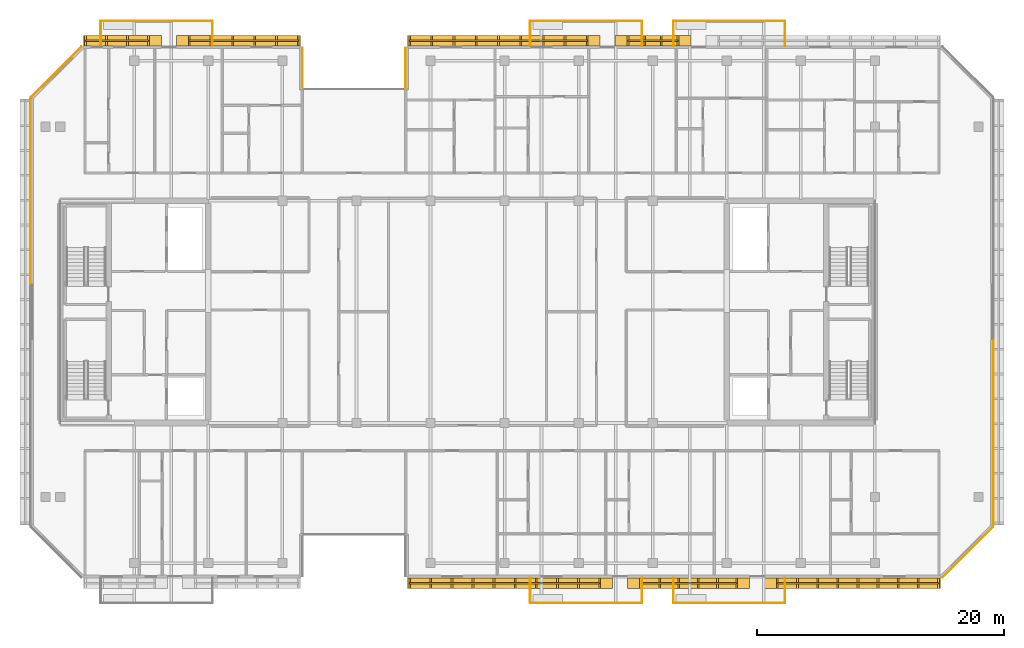
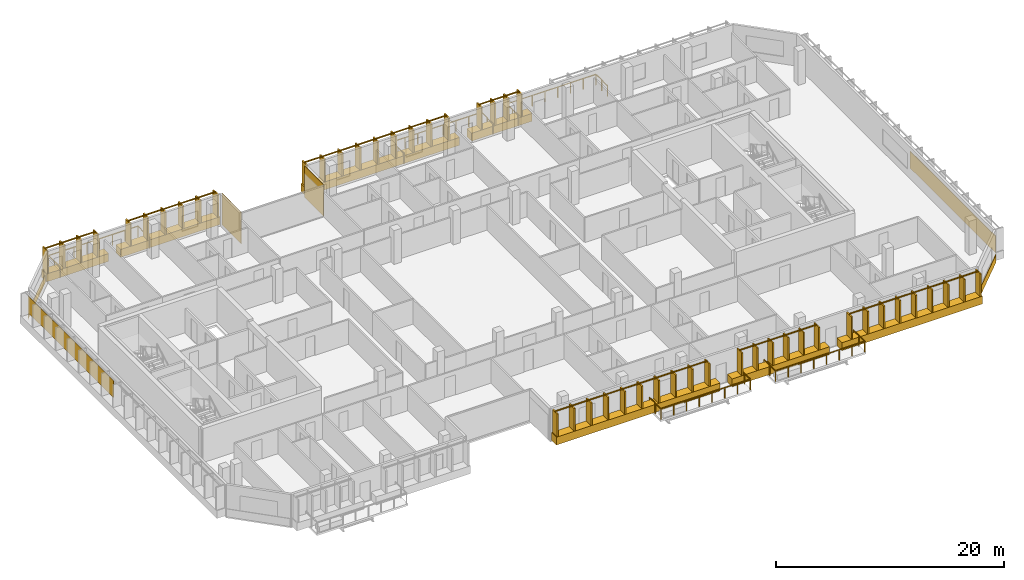
# One storey, part 15 of 17: 13 coverings, 12 railings.
"""IFC4 building model written with IfcOpenShell, lengths in metres."""

from ifc_helpers import new_model, si_unit, direction, frame, origin, origin_2d, place, context, subcontext, project, spatial, rectangle, extrude, material, layer, layer_set, type_object, element, save


model = new_model("IFC4")

# Units and contexts
model_context = context("Model", 3, precision=1e-05, world=origin(), true_north=direction((0.0, 1.0)))
body_context = subcontext(model_context, "Body", "Model", "MODEL_VIEW")
ifc_project = project(units=[si_unit("LENGTHUNIT", "METRE"), si_unit("AREAUNIT", "SQUARE_METRE"), si_unit("VOLUMEUNIT", "CUBIC_METRE"), si_unit("PLANEANGLEUNIT", "RADIAN"), si_unit("MASSUNIT", "GRAM", prefix="KILO")], contexts=[model_context])

# Site, building, storey
site_placement = place(None, origin())
site = spatial("IfcSite", under=ifc_project, at=site_placement, CompositionType="ELEMENT")
building_placement = place(site_placement, origin())
building = spatial("IfcBuilding", under=site, at=building_placement, Name="Tanjung Sevakor Pilgrim Tower", CompositionType="ELEMENT")
storey_placement = place(building_placement, frame((0.0, 0.0, 219.1201171875)))
storey = spatial("IfcBuildingStorey", under=building, at=storey_placement, Name="L61", CompositionType="ELEMENT", Elevation=219.1201171875)

# Coverings
ifc_material_1 = material(Name="Reconstructed Limestone Cladding", Category="masonry")
ifc_layer = layer(ifc_material_1, 0.044921875)
ifc_layer_set = layer_set([ifc_layer], Name="COV-CLAD-LIMESTONE")
covering_type = type_object("IfcCoveringType", Name="COV-CLAD-LIMESTONE", PredefinedType="CLADDING", material=ifc_layer_set)
covering_1_placement = place(storey_placement, frame((60.445068359375, 11.6201171875, 0.009765625), z_axis=(0.0, 0.0, 1.0), x_axis=(1.0, 0.0, 0.0)))
element("IfcCovering", 1, at=covering_1_placement, inside=storey, type_object=covering_type, Name="L61 Warm Limestone Sill Spandrel EW-L61-MAIN-5-1", PredefinedType="CLADDING", context=body_context, shape_type="SweptSolid", body=[
    extrude(rectangle(XDim=16.590087890625, YDim=0.860107421875, at=origin_2d()), origin(), (0.0, 0.0, 1.0), 0.840087890625),
])
covering_2_placement = place(storey_placement, frame((74.89990234375, 11.6201171875, 0.009765625), z_axis=(0.0, 0.0, 1.0), x_axis=(1.0, 0.0, 0.0)))
element("IfcCovering", 2, at=covering_2_placement, inside=storey, type_object=covering_type, Name="L61 Warm Limestone Sill Spandrel EW-L61-MAIN-5-2", PredefinedType="CLADDING", context=body_context, shape_type="SweptSolid", body=[
    extrude(rectangle(XDim=9.8798828125, YDim=0.860107421875, at=origin_2d()), origin(), (0.0, 0.0, 1.0), 0.840087890625),
])
covering_3_placement = place(storey_placement, frame((88.187255859375, 11.6201171875, 0.009765625), z_axis=(0.0, 0.0, 1.0), x_axis=(1.0, 0.0, 0.0)))
element("IfcCovering", 3, at=covering_3_placement, inside=storey, type_object=covering_type, Name="L61 Warm Limestone Sill Spandrel EW-L61-MAIN-5-3", PredefinedType="CLADDING", context=body_context, shape_type="SweptSolid", body=[
    extrude(rectangle(XDim=14.25439453125, YDim=0.860107421875, at=origin_2d()), origin(), (0.0, 0.0, 1.0), 0.840087890625),
])
covering_4_placement = place(storey_placement, frame((97.515869140625, 14.134033203125, 0.009765625), z_axis=(0.0, 0.0, 1.0), x_axis=(0.707106781187, 0.707106781187, 0.0)))
element("IfcCovering", 4, at=covering_4_placement, inside=storey, type_object=covering_type, Name="L61 Warm Limestone Sill Spandrel EW-CHM-L61-MAIN-5-1", PredefinedType="CLADDING", context=body_context, shape_type="SweptSolid", body=[
    extrude(rectangle(XDim=5.7685546875, YDim=0.044921875, at=origin_2d()), origin(), (0.0, 0.0, 1.0), 0.840087890625),
])
covering_5_placement = place(storey_placement, frame((99.62255859375, 23.8427734375, 0.849853515625), z_axis=(0.0, 0.0, 1.0), x_axis=(0.0, 1.0, 0.0)))
element("IfcCovering", 5, at=covering_5_placement, inside=storey, type_object=covering_type, Name="L61 Warm Limestone Pier Panel EW-L61-MAIN-7-1", PredefinedType="CLADDING", context=body_context, shape_type="SweptSolid", body=[
    extrude(rectangle(XDim=15.014404296875, YDim=0.044921875, at=origin_2d()), origin(), (0.0, 0.0, 1.0), 1.81005859375),
])
covering_6_placement = place(storey_placement, frame((72.02490234375, 55.580078125, 0.009765625), z_axis=(0.0, 0.0, 1.0), x_axis=(-1.0, 0.0, 0.0)))
element("IfcCovering", 6, at=covering_6_placement, inside=storey, type_object=covering_type, Name="L61 Warm Limestone Sill Spandrel EW-L61-MAIN-9-2", PredefinedType="CLADDING", context=body_context, shape_type="SweptSolid", body=[
    extrude(rectangle(XDim=6.1298828125, YDim=0.860107421875, at=origin_2d()), origin(), (0.0, 0.0, 1.0), 0.840087890625),
])
covering_7_placement = place(storey_placement, frame((59.945068359375, 55.580078125, 0.009765625), z_axis=(0.0, 0.0, 1.0), x_axis=(-1.0, 0.0, 0.0)))
element("IfcCovering", 7, at=covering_7_placement, inside=storey, type_object=covering_type, Name="L61 Warm Limestone Sill Spandrel EW-L61-MAIN-9-3", PredefinedType="CLADDING", context=body_context, shape_type="SweptSolid", body=[
    extrude(rectangle(XDim=15.590087890625, YDim=0.860107421875, at=origin_2d()), origin(), (0.0, 0.0, 1.0), 0.840087890625),
])
for number, where, z_axis, x_axis, name in (
    (8, (51.9775390625, 53.340087890625, 0.019775390625), (0.0, 0.0, 1.0), (0.0, -1.0, 0.0), "L61 Warm Limestone Wall Cladding EW-L61-MAIN-10"),
    (9, (43.62255859375, 53.340087890625, 0.019775390625), (0.0, 0.0, 1.0), (0.0, 1.0, 0.0), "L61 Warm Limestone Wall Cladding EW-L61-MAIN-12"),
):
    element("IfcCovering", number, at=place(storey_placement, frame(where, z_axis=z_axis, x_axis=x_axis)), inside=storey, type_object=covering_type, Name=name, PredefinedType="CLADDING", context=body_context, shape_type="SweptSolid", body=[
        extrude(rectangle(XDim=3.360107421875, YDim=0.044921875, at=origin_2d()), origin(), (0.0, 0.0, 1.0), 3.3701171875),
    ])
covering_8_placement = place(storey_placement, frame((38.429931640625, 55.580078125, 0.009765625), z_axis=(0.0, 0.0, 1.0), x_axis=(-1.0, 0.0, 0.0)))
element("IfcCovering", 10, at=covering_8_placement, inside=storey, type_object=covering_type, Name="L61 Warm Limestone Sill Spandrel EW-L61-MAIN-13-1", PredefinedType="CLADDING", context=body_context, shape_type="SweptSolid", body=[
    extrude(rectangle(XDim=10.0400390625, YDim=0.860107421875, at=origin_2d()), origin(), (0.0, 0.0, 1.0), 0.840087890625),
])
covering_9_placement = place(storey_placement, frame((29.037841796875, 55.580078125, 0.009765625), z_axis=(0.0, 0.0, 1.0), x_axis=(-1.0, 0.0, 0.0)))
element("IfcCovering", 11, at=covering_9_placement, inside=storey, type_object=covering_type, Name="L61 Warm Limestone Sill Spandrel EW-L61-MAIN-13-2", PredefinedType="CLADDING", context=body_context, shape_type="SweptSolid", body=[
    extrude(rectangle(XDim=6.304443359375, YDim=0.860107421875, at=origin_2d()), origin(), (0.0, 0.0, 1.0), 0.840087890625),
])
covering_10_placement = place(storey_placement, frame((23.68408203125, 53.06591796875, 0.009765625), z_axis=(0.0, 0.0, 1.0), x_axis=(-0.707106781187, -0.707106781187, 0.0)))
element("IfcCovering", 12, at=covering_10_placement, inside=storey, type_object=covering_type, Name="L61 Warm Limestone Sill Spandrel EW-CHM-L61-MAIN-13-1", PredefinedType="CLADDING", context=body_context, shape_type="SweptSolid", body=[
    extrude(rectangle(XDim=5.7685546875, YDim=0.044921875, at=origin_2d()), origin(), (0.0, 0.0, 1.0), 0.840087890625),
])
covering_11_placement = place(storey_placement, frame((21.577392578125, 43.357177734375, 0.849853515625), z_axis=(0.0, 0.0, 1.0), x_axis=(0.0, -1.0, 0.0)))
element("IfcCovering", 13, at=covering_11_placement, inside=storey, type_object=covering_type, Name="L61 Warm Limestone Pier Panel EW-L61-MAIN-15-1", PredefinedType="CLADDING", context=body_context, shape_type="SweptSolid", body=[
    extrude(rectangle(XDim=15.014404296875, YDim=0.044921875, at=origin_2d()), origin(), (0.0, 0.0, 1.0), 1.81005859375),
])

# Railings
ifc_material_2 = material(Name="Laminated Glass and Aluminium", Category="aluminium")
railing_type_1 = type_object("IfcRailingType", Name="RL-BAL-BALUST", PredefinedType="BALUSTRADE", material=ifc_material_2)
railing_1_placement = place(storey_placement, frame((27.280029296875, 55.14990234375, 0.0)))
element("IfcRailing", 14, at=railing_1_placement, inside=storey, type_object=railing_type_1, Name="L61 Loggia Balustrade MAIN-N1", PredefinedType="BALUSTRADE", context=body_context, shape_type="SweptSolid", body=[
    extrude(rectangle(XDim=0.0479, YDim=0.0479), frame((0.0, 0.0, 1.1259765625), z_axis=(0.0, 1.0, 0.0), x_axis=(-1.0, 0.0, 0.0)), (0.0, 0.0, 1.0), 2.02001953125),
    extrude(rectangle(XDim=0.0479, YDim=0.0479), frame((0.0, 2.02001953125, 1.1259765625), z_axis=(1.0, 0.0, 0.0), x_axis=(0.0, 1.0, 0.0)), (0.0, 0.0, 1.0), 9.0400390625),
    extrude(rectangle(XDim=0.0479, YDim=0.0479), frame((9.0400390625, 2.02001953125, 1.1259765625), z_axis=(0.0, -1.0, 0.0), x_axis=(1.0, 0.0, 0.0)), (0.0, 0.0, 1.0), 2.02001953125),
    extrude(rectangle(XDim=0.042, YDim=0.042), origin(), (0.0, 0.0, 1.0), 1.101806640625),
    extrude(rectangle(XDim=0.042, YDim=0.042), frame((0.0, 1.010009765625, 0.0)), (0.0, 0.0, 1.0), 1.101806640625),
    extrude(rectangle(XDim=0.042, YDim=0.042), frame((0.0, 2.02001953125, 0.0)), (0.0, 0.0, 1.0), 1.101806640625),
    extrude(rectangle(XDim=0.042, YDim=0.042), frame((1.29150390625, 2.02001953125, 0.0)), (0.0, 0.0, 1.0), 1.101806640625),
    extrude(rectangle(XDim=0.042, YDim=0.042), frame((2.582763671875, 2.02001953125, 0.0)), (0.0, 0.0, 1.0), 1.101806640625),
    extrude(rectangle(XDim=0.042, YDim=0.042), frame((3.874267578125, 2.02001953125, 0.0)), (0.0, 0.0, 1.0), 1.101806640625),
    extrude(rectangle(XDim=0.042, YDim=0.042), frame((5.165771484375, 2.02001953125, 0.0)), (0.0, 0.0, 1.0), 1.101806640625),
    extrude(rectangle(XDim=0.042, YDim=0.042), frame((6.457275390625, 2.02001953125, 0.0)), (0.0, 0.0, 1.0), 1.101806640625),
    extrude(rectangle(XDim=0.042, YDim=0.042), frame((7.74853515625, 2.02001953125, 0.0)), (0.0, 0.0, 1.0), 1.101806640625),
    extrude(rectangle(XDim=0.042, YDim=0.042), frame((9.0400390625, 2.02001953125, 0.0)), (0.0, 0.0, 1.0), 1.101806640625),
    extrude(rectangle(XDim=0.042, YDim=0.042), frame((9.0400390625, 1.010009765625, 0.0)), (0.0, 0.0, 1.0), 1.101806640625),
    extrude(rectangle(XDim=0.042, YDim=0.042), frame((9.0400390625, 0.0, 0.0)), (0.0, 0.0, 1.0), 1.101806640625),
])
railing_2_placement = place(storey_placement, frame((62.080078125, 12.050048828125, 0.0)))
element("IfcRailing", 15, at=railing_2_placement, inside=storey, type_object=railing_type_1, Name="L61 Loggia Balustrade MAIN-S2", PredefinedType="BALUSTRADE", context=body_context, shape_type="SweptSolid", body=[
    extrude(rectangle(XDim=0.0479, YDim=0.0479), frame((0.0, 0.0, 1.1259765625), z_axis=(0.0, -1.0, 0.0), x_axis=(1.0, 0.0, 0.0)), (0.0, 0.0, 1.0), 2.02001953125),
    extrude(rectangle(XDim=0.0479, YDim=0.0479), frame((0.0, -2.02001953125, 1.1259765625), z_axis=(1.0, 0.0, 0.0), x_axis=(0.0, 1.0, 0.0)), (0.0, 0.0, 1.0), 9.0400390625),
    extrude(rectangle(XDim=0.0479, YDim=0.0479), frame((9.0400390625, -2.02001953125, 1.1259765625), z_axis=(0.0, 1.0, 0.0), x_axis=(-1.0, 0.0, 0.0)), (0.0, 0.0, 1.0), 2.02001953125),
    extrude(rectangle(XDim=0.042, YDim=0.042), origin(), (0.0, 0.0, 1.0), 1.101806640625),
    extrude(rectangle(XDim=0.042, YDim=0.042), frame((0.0, -1.010009765625, 0.0)), (0.0, 0.0, 1.0), 1.101806640625),
    extrude(rectangle(XDim=0.042, YDim=0.042), frame((0.0, -2.02001953125, 0.0)), (0.0, 0.0, 1.0), 1.101806640625),
    extrude(rectangle(XDim=0.042, YDim=0.042), frame((1.29150390625, -2.02001953125, 0.0)), (0.0, 0.0, 1.0), 1.101806640625),
    extrude(rectangle(XDim=0.042, YDim=0.042), frame((2.582763671875, -2.02001953125, 0.0)), (0.0, 0.0, 1.0), 1.101806640625),
    extrude(rectangle(XDim=0.042, YDim=0.042), frame((3.874267578125, -2.02001953125, 0.0)), (0.0, 0.0, 1.0), 1.101806640625),
    extrude(rectangle(XDim=0.042, YDim=0.042), frame((5.165771484375, -2.02001953125, 0.0)), (0.0, 0.0, 1.0), 1.101806640625),
    extrude(rectangle(XDim=0.042, YDim=0.042), frame((6.457275390625, -2.02001953125, 0.0)), (0.0, 0.0, 1.0), 1.101806640625),
    extrude(rectangle(XDim=0.042, YDim=0.042), frame((7.74853515625, -2.02001953125, 0.0)), (0.0, 0.0, 1.0), 1.101806640625),
    extrude(rectangle(XDim=0.042, YDim=0.042), frame((9.0400390625, -2.02001953125, 0.0)), (0.0, 0.0, 1.0), 1.101806640625),
    extrude(rectangle(XDim=0.042, YDim=0.042), frame((9.0400390625, -1.010009765625, 0.0)), (0.0, 0.0, 1.0), 1.101806640625),
    extrude(rectangle(XDim=0.042, YDim=0.042), frame((9.0400390625, 0.0, 0.0)), (0.0, 0.0, 1.0), 1.101806640625),
])
railing_3_placement = place(storey_placement, frame((62.080078125, 55.14990234375, 0.0)))
element("IfcRailing", 16, at=railing_3_placement, inside=storey, type_object=railing_type_1, Name="L61 Loggia Balustrade MAIN-N2", PredefinedType="BALUSTRADE", context=body_context, shape_type="SweptSolid", body=[
    extrude(rectangle(XDim=0.0479, YDim=0.0479), frame((0.0, 0.0, 1.1259765625), z_axis=(0.0, 1.0, 0.0), x_axis=(-1.0, 0.0, 0.0)), (0.0, 0.0, 1.0), 2.02001953125),
    extrude(rectangle(XDim=0.0479, YDim=0.0479), frame((0.0, 2.02001953125, 1.1259765625), z_axis=(1.0, 0.0, 0.0), x_axis=(0.0, 1.0, 0.0)), (0.0, 0.0, 1.0), 9.0400390625),
    extrude(rectangle(XDim=0.0479, YDim=0.0479), frame((9.0400390625, 2.02001953125, 1.1259765625), z_axis=(0.0, -1.0, 0.0), x_axis=(1.0, 0.0, 0.0)), (0.0, 0.0, 1.0), 2.02001953125),
    extrude(rectangle(XDim=0.042, YDim=0.042), origin(), (0.0, 0.0, 1.0), 1.101806640625),
    extrude(rectangle(XDim=0.042, YDim=0.042), frame((0.0, 1.010009765625, 0.0)), (0.0, 0.0, 1.0), 1.101806640625),
    extrude(rectangle(XDim=0.042, YDim=0.042), frame((0.0, 2.02001953125, 0.0)), (0.0, 0.0, 1.0), 1.101806640625),
    extrude(rectangle(XDim=0.042, YDim=0.042), frame((1.29150390625, 2.02001953125, 0.0)), (0.0, 0.0, 1.0), 1.101806640625),
    extrude(rectangle(XDim=0.042, YDim=0.042), frame((2.582763671875, 2.02001953125, 0.0)), (0.0, 0.0, 1.0), 1.101806640625),
    extrude(rectangle(XDim=0.042, YDim=0.042), frame((3.874267578125, 2.02001953125, 0.0)), (0.0, 0.0, 1.0), 1.101806640625),
    extrude(rectangle(XDim=0.042, YDim=0.042), frame((5.165771484375, 2.02001953125, 0.0)), (0.0, 0.0, 1.0), 1.101806640625),
    extrude(rectangle(XDim=0.042, YDim=0.042), frame((6.457275390625, 2.02001953125, 0.0)), (0.0, 0.0, 1.0), 1.101806640625),
    extrude(rectangle(XDim=0.042, YDim=0.042), frame((7.74853515625, 2.02001953125, 0.0)), (0.0, 0.0, 1.0), 1.101806640625),
    extrude(rectangle(XDim=0.042, YDim=0.042), frame((9.0400390625, 2.02001953125, 0.0)), (0.0, 0.0, 1.0), 1.101806640625),
    extrude(rectangle(XDim=0.042, YDim=0.042), frame((9.0400390625, 1.010009765625, 0.0)), (0.0, 0.0, 1.0), 1.101806640625),
    extrude(rectangle(XDim=0.042, YDim=0.042), frame((9.0400390625, 0.0, 0.0)), (0.0, 0.0, 1.0), 1.101806640625),
])
railing_4_placement = place(storey_placement, frame((73.679931640625, 12.050048828125, 0.0)))
element("IfcRailing", 17, at=railing_4_placement, inside=storey, type_object=railing_type_1, Name="L61 Loggia Balustrade MAIN-S3", PredefinedType="BALUSTRADE", context=body_context, shape_type="SweptSolid", body=[
    extrude(rectangle(XDim=0.0479, YDim=0.0479), frame((0.0, 0.0, 1.1259765625), z_axis=(0.0, -1.0, 0.0), x_axis=(1.0, 0.0, 0.0)), (0.0, 0.0, 1.0), 2.02001953125),
    extrude(rectangle(XDim=0.0479, YDim=0.0479), frame((0.0, -2.02001953125, 1.1259765625), z_axis=(1.0, 0.0, 0.0), x_axis=(0.0, 1.0, 0.0)), (0.0, 0.0, 1.0), 9.0400390625),
    extrude(rectangle(XDim=0.0479, YDim=0.0479), frame((9.0400390625, -2.02001953125, 1.1259765625), z_axis=(0.0, 1.0, 0.0), x_axis=(-1.0, 0.0, 0.0)), (0.0, 0.0, 1.0), 2.02001953125),
    extrude(rectangle(XDim=0.042, YDim=0.042), origin(), (0.0, 0.0, 1.0), 1.101806640625),
    extrude(rectangle(XDim=0.042, YDim=0.042), frame((0.0, -1.010009765625, 0.0)), (0.0, 0.0, 1.0), 1.101806640625),
    extrude(rectangle(XDim=0.042, YDim=0.042), frame((0.0, -2.02001953125, 0.0)), (0.0, 0.0, 1.0), 1.101806640625),
    extrude(rectangle(XDim=0.042, YDim=0.042), frame((1.29150390625, -2.02001953125, 0.0)), (0.0, 0.0, 1.0), 1.101806640625),
    extrude(rectangle(XDim=0.042, YDim=0.042), frame((2.582763671875, -2.02001953125, 0.0)), (0.0, 0.0, 1.0), 1.101806640625),
    extrude(rectangle(XDim=0.042, YDim=0.042), frame((3.874267578125, -2.02001953125, 0.0)), (0.0, 0.0, 1.0), 1.101806640625),
    extrude(rectangle(XDim=0.042, YDim=0.042), frame((5.165771484375, -2.02001953125, 0.0)), (0.0, 0.0, 1.0), 1.101806640625),
    extrude(rectangle(XDim=0.042, YDim=0.042), frame((6.457275390625, -2.02001953125, 0.0)), (0.0, 0.0, 1.0), 1.101806640625),
    extrude(rectangle(XDim=0.042, YDim=0.042), frame((7.74853515625, -2.02001953125, 0.0)), (0.0, 0.0, 1.0), 1.101806640625),
    extrude(rectangle(XDim=0.042, YDim=0.042), frame((9.0400390625, -2.02001953125, 0.0)), (0.0, 0.0, 1.0), 1.101806640625),
    extrude(rectangle(XDim=0.042, YDim=0.042), frame((9.0400390625, -1.010009765625, 0.0)), (0.0, 0.0, 1.0), 1.101806640625),
    extrude(rectangle(XDim=0.042, YDim=0.042), frame((9.0400390625, 0.0, 0.0)), (0.0, 0.0, 1.0), 1.101806640625),
])
railing_5_placement = place(storey_placement, frame((73.679931640625, 55.14990234375, 0.0)))
element("IfcRailing", 18, at=railing_5_placement, inside=storey, type_object=railing_type_1, Name="L61 Loggia Balustrade MAIN-N3", PredefinedType="BALUSTRADE", context=body_context, shape_type="SweptSolid", body=[
    extrude(rectangle(XDim=0.0479, YDim=0.0479), frame((0.0, 0.0, 1.1259765625), z_axis=(0.0, 1.0, 0.0), x_axis=(-1.0, 0.0, 0.0)), (0.0, 0.0, 1.0), 2.02001953125),
    extrude(rectangle(XDim=0.0479, YDim=0.0479), frame((0.0, 2.02001953125, 1.1259765625), z_axis=(1.0, 0.0, 0.0), x_axis=(0.0, 1.0, 0.0)), (0.0, 0.0, 1.0), 9.0400390625),
    extrude(rectangle(XDim=0.0479, YDim=0.0479), frame((9.0400390625, 2.02001953125, 1.1259765625), z_axis=(0.0, -1.0, 0.0), x_axis=(1.0, 0.0, 0.0)), (0.0, 0.0, 1.0), 2.02001953125),
    extrude(rectangle(XDim=0.042, YDim=0.042), origin(), (0.0, 0.0, 1.0), 1.101806640625),
    extrude(rectangle(XDim=0.042, YDim=0.042), frame((0.0, 1.010009765625, 0.0)), (0.0, 0.0, 1.0), 1.101806640625),
    extrude(rectangle(XDim=0.042, YDim=0.042), frame((0.0, 2.02001953125, 0.0)), (0.0, 0.0, 1.0), 1.101806640625),
    extrude(rectangle(XDim=0.042, YDim=0.042), frame((1.29150390625, 2.02001953125, 0.0)), (0.0, 0.0, 1.0), 1.101806640625),
    extrude(rectangle(XDim=0.042, YDim=0.042), frame((2.582763671875, 2.02001953125, 0.0)), (0.0, 0.0, 1.0), 1.101806640625),
    extrude(rectangle(XDim=0.042, YDim=0.042), frame((3.874267578125, 2.02001953125, 0.0)), (0.0, 0.0, 1.0), 1.101806640625),
    extrude(rectangle(XDim=0.042, YDim=0.042), frame((5.165771484375, 2.02001953125, 0.0)), (0.0, 0.0, 1.0), 1.101806640625),
    extrude(rectangle(XDim=0.042, YDim=0.042), frame((6.457275390625, 2.02001953125, 0.0)), (0.0, 0.0, 1.0), 1.101806640625),
    extrude(rectangle(XDim=0.042, YDim=0.042), frame((7.74853515625, 2.02001953125, 0.0)), (0.0, 0.0, 1.0), 1.101806640625),
    extrude(rectangle(XDim=0.042, YDim=0.042), frame((9.0400390625, 2.02001953125, 0.0)), (0.0, 0.0, 1.0), 1.101806640625),
    extrude(rectangle(XDim=0.042, YDim=0.042), frame((9.0400390625, 1.010009765625, 0.0)), (0.0, 0.0, 1.0), 1.101806640625),
    extrude(rectangle(XDim=0.042, YDim=0.042), frame((9.0400390625, 0.0, 0.0)), (0.0, 0.0, 1.0), 1.101806640625),
])
ifc_material_3 = material(Name="Anodised Bronze Aluminium 6063-T6", Category="aluminium")
railing_type_2 = type_object("IfcRailingType", Name="RL-FIN-SCREEN", PredefinedType="BALUSTRADE", material=ifc_material_3)
railing_6_placement = place(storey_placement, frame((52.31005859375, 11.625, 0.83984375)))
element("IfcRailing", 19, at=railing_6_placement, inside=storey, type_object=railing_type_2, Name="L61 Vertical Bronze-Gold Solar Fin Screen FNSCR-EW-L61-MAIN-5-1", PredefinedType="BALUSTRADE", context=body_context, shape_type="SweptSolid", body=[
    extrude(rectangle(XDim=0.105, YDim=0.105), frame((0.0, 0.0, 2.487548828125), z_axis=(1.0, 0.0, 0.0), x_axis=(0.0, 1.0, 0.0)), (0.0, 0.0, 1.0), 15.389892578125),
    extrude(rectangle(XDim=0.14, YDim=0.85), origin(), (0.0, 0.0, 1.0), 2.43505859375),
    extrude(rectangle(XDim=0.14, YDim=0.85), frame((1.7099609375, 0.0, 0.0)), (0.0, 0.0, 1.0), 2.43505859375),
    extrude(rectangle(XDim=0.14, YDim=0.85), frame((3.419921875, 0.0, 0.0)), (0.0, 0.0, 1.0), 2.43505859375),
    extrude(rectangle(XDim=0.14, YDim=0.85), frame((5.1298828125, 0.0, 0.0)), (0.0, 0.0, 1.0), 2.43505859375),
    extrude(rectangle(XDim=0.14, YDim=0.85), frame((6.83984375, 0.0, 0.0)), (0.0, 0.0, 1.0), 2.43505859375),
    extrude(rectangle(XDim=0.14, YDim=0.85), frame((8.550048828125, 0.0, 0.0)), (0.0, 0.0, 1.0), 2.43505859375),
    extrude(rectangle(XDim=0.14, YDim=0.85), frame((10.260009765625, 0.0, 0.0)), (0.0, 0.0, 1.0), 2.43505859375),
    extrude(rectangle(XDim=0.14, YDim=0.85), frame((11.969970703125, 0.0, 0.0)), (0.0, 0.0, 1.0), 2.43505859375),
    extrude(rectangle(XDim=0.14, YDim=0.85), frame((13.679931640625, 0.0, 0.0)), (0.0, 0.0, 1.0), 2.43505859375),
    extrude(rectangle(XDim=0.14, YDim=0.85), frame((15.389892578125, 0.0, 0.0)), (0.0, 0.0, 1.0), 2.43505859375),
])
railing_7_placement = place(storey_placement, frame((71.0, 11.625, 0.83984375)))
element("IfcRailing", 20, at=railing_7_placement, inside=storey, type_object=railing_type_2, Name="L61 Vertical Bronze-Gold Solar Fin Screen FNSCR-EW-L61-MAIN-5-2", PredefinedType="BALUSTRADE", context=body_context, shape_type="SweptSolid", body=[
    extrude(rectangle(XDim=0.105, YDim=0.105), frame((0.0, 0.0, 2.487548828125), z_axis=(1.0, 0.0, 0.0), x_axis=(0.0, 1.0, 0.0)), (0.0, 0.0, 1.0), 7.800048828125),
    extrude(rectangle(XDim=0.14, YDim=0.85), origin(), (0.0, 0.0, 1.0), 2.43505859375),
    extrude(rectangle(XDim=0.14, YDim=0.85), frame((1.56005859375, 0.0, 0.0)), (0.0, 0.0, 1.0), 2.43505859375),
    extrude(rectangle(XDim=0.14, YDim=0.85), frame((3.1201171875, 0.0, 0.0)), (0.0, 0.0, 1.0), 2.43505859375),
    extrude(rectangle(XDim=0.14, YDim=0.85), frame((4.679931640625, 0.0, 0.0)), (0.0, 0.0, 1.0), 2.43505859375),
    extrude(rectangle(XDim=0.14, YDim=0.85), frame((6.239990234375, 0.0, 0.0)), (0.0, 0.0, 1.0), 2.43505859375),
    extrude(rectangle(XDim=0.14, YDim=0.85), frame((7.800048828125, 0.0, 0.0)), (0.0, 0.0, 1.0), 2.43505859375),
])
railing_8_placement = place(storey_placement, frame((82.10009765625, 11.625, 0.83984375)))
element("IfcRailing", 21, at=railing_8_placement, inside=storey, type_object=railing_type_2, Name="L61 Vertical Bronze-Gold Solar Fin Screen FNSCR-EW-L61-MAIN-5-3", PredefinedType="BALUSTRADE", context=body_context, shape_type="SweptSolid", body=[
    extrude(rectangle(XDim=0.105, YDim=0.105), frame((0.0, 0.0, 2.487548828125), z_axis=(1.0, 0.0, 0.0), x_axis=(0.0, 1.0, 0.0)), (0.0, 0.0, 1.0), 13.05419921875),
    extrude(rectangle(XDim=0.14, YDim=0.85), origin(), (0.0, 0.0, 1.0), 2.43505859375),
    extrude(rectangle(XDim=0.14, YDim=0.85), frame((1.6318359375, 0.0, 0.0)), (0.0, 0.0, 1.0), 2.43505859375),
    extrude(rectangle(XDim=0.14, YDim=0.85), frame((3.263671875, 0.0, 0.0)), (0.0, 0.0, 1.0), 2.43505859375),
    extrude(rectangle(XDim=0.14, YDim=0.85), frame((4.895263671875, 0.0, 0.0)), (0.0, 0.0, 1.0), 2.43505859375),
    extrude(rectangle(XDim=0.14, YDim=0.85), frame((6.527099609375, 0.0, 0.0)), (0.0, 0.0, 1.0), 2.43505859375),
    extrude(rectangle(XDim=0.14, YDim=0.85), frame((8.158935546875, 0.0, 0.0)), (0.0, 0.0, 1.0), 2.43505859375),
    extrude(rectangle(XDim=0.14, YDim=0.85), frame((9.79052734375, 0.0, 0.0)), (0.0, 0.0, 1.0), 2.43505859375),
    extrude(rectangle(XDim=0.14, YDim=0.85), frame((11.42236328125, 0.0, 0.0)), (0.0, 0.0, 1.0), 2.43505859375),
    extrude(rectangle(XDim=0.14, YDim=0.85), frame((13.05419921875, 0.0, 0.0)), (0.0, 0.0, 1.0), 2.43505859375),
])
railing_9_placement = place(storey_placement, frame((74.050048828125, 55.574951171875, 0.83984375)))
element("IfcRailing", 22, at=railing_9_placement, inside=storey, type_object=railing_type_2, Name="L61 Vertical Bronze-Gold Solar Fin Screen FNSCR-EW-L61-MAIN-9-2", PredefinedType="BALUSTRADE", context=body_context, shape_type="SweptSolid", body=[
    extrude(rectangle(XDim=0.105, YDim=0.105), frame((0.0, 0.0, 2.487548828125), z_axis=(-1.0, 0.0, 0.0), x_axis=(0.0, -1.0, 0.0)), (0.0, 0.0, 1.0), 4.050048828125),
    extrude(rectangle(XDim=0.14, YDim=0.85), origin(), (0.0, 0.0, 1.0), 2.43505859375),
    extrude(rectangle(XDim=0.14, YDim=0.85), frame((-1.35009765625, 0.0, 0.0)), (0.0, 0.0, 1.0), 2.43505859375),
    extrude(rectangle(XDim=0.14, YDim=0.85), frame((-2.699951171875, 0.0, 0.0)), (0.0, 0.0, 1.0), 2.43505859375),
    extrude(rectangle(XDim=0.14, YDim=0.85), frame((-4.050048828125, 0.0, 0.0)), (0.0, 0.0, 1.0), 2.43505859375),
])
railing_10_placement = place(storey_placement, frame((66.699951171875, 55.574951171875, 0.83984375)))
element("IfcRailing", 23, at=railing_10_placement, inside=storey, type_object=railing_type_2, Name="L61 Vertical Bronze-Gold Solar Fin Screen FNSCR-EW-L61-MAIN-9-3", PredefinedType="BALUSTRADE", context=body_context, shape_type="SweptSolid", body=[
    extrude(rectangle(XDim=0.105, YDim=0.105), frame((0.0, 0.0, 2.487548828125), z_axis=(-1.0, 0.0, 0.0), x_axis=(0.0, -1.0, 0.0)), (0.0, 0.0, 1.0), 14.389892578125),
    extrude(rectangle(XDim=0.14, YDim=0.85), origin(), (0.0, 0.0, 1.0), 2.43505859375),
    extrude(rectangle(XDim=0.14, YDim=0.85), frame((-1.798828125, 0.0, 0.0)), (0.0, 0.0, 1.0), 2.43505859375),
    extrude(rectangle(XDim=0.14, YDim=0.85), frame((-3.597412109375, 0.0, 0.0)), (0.0, 0.0, 1.0), 2.43505859375),
    extrude(rectangle(XDim=0.14, YDim=0.85), frame((-5.396240234375, 0.0, 0.0)), (0.0, 0.0, 1.0), 2.43505859375),
    extrude(rectangle(XDim=0.14, YDim=0.85), frame((-7.19482421875, 0.0, 0.0)), (0.0, 0.0, 1.0), 2.43505859375),
    extrude(rectangle(XDim=0.14, YDim=0.85), frame((-8.99365234375, 0.0, 0.0)), (0.0, 0.0, 1.0), 2.43505859375),
    extrude(rectangle(XDim=0.14, YDim=0.85), frame((-10.79248046875, 0.0, 0.0)), (0.0, 0.0, 1.0), 2.43505859375),
    extrude(rectangle(XDim=0.14, YDim=0.85), frame((-12.591064453125, 0.0, 0.0)), (0.0, 0.0, 1.0), 2.43505859375),
    extrude(rectangle(XDim=0.14, YDim=0.85), frame((-14.389892578125, 0.0, 0.0)), (0.0, 0.0, 1.0), 2.43505859375),
])
railing_11_placement = place(storey_placement, frame((43.2900390625, 55.574951171875, 0.83984375)))
element("IfcRailing", 24, at=railing_11_placement, inside=storey, type_object=railing_type_2, Name="L61 Vertical Bronze-Gold Solar Fin Screen FNSCR-EW-L61-MAIN-13-1", PredefinedType="BALUSTRADE", context=body_context, shape_type="SweptSolid", body=[
    extrude(rectangle(XDim=0.105, YDim=0.105), frame((0.0, 0.0, 2.487548828125), z_axis=(-1.0, 0.0, 0.0), x_axis=(0.0, -1.0, 0.0)), (0.0, 0.0, 1.0), 8.840087890625),
    extrude(rectangle(XDim=0.14, YDim=0.85), origin(), (0.0, 0.0, 1.0), 2.43505859375),
    extrude(rectangle(XDim=0.14, YDim=0.85), frame((-1.76806640625, 0.0, 0.0)), (0.0, 0.0, 1.0), 2.43505859375),
    extrude(rectangle(XDim=0.14, YDim=0.85), frame((-3.5361328125, 0.0, 0.0)), (0.0, 0.0, 1.0), 2.43505859375),
    extrude(rectangle(XDim=0.14, YDim=0.85), frame((-5.303955078125, 0.0, 0.0)), (0.0, 0.0, 1.0), 2.43505859375),
    extrude(rectangle(XDim=0.14, YDim=0.85), frame((-7.072021484375, 0.0, 0.0)), (0.0, 0.0, 1.0), 2.43505859375),
    extrude(rectangle(XDim=0.14, YDim=0.85), frame((-8.840087890625, 0.0, 0.0)), (0.0, 0.0, 1.0), 2.43505859375),
])
railing_12_placement = place(storey_placement, frame((31.14990234375, 55.574951171875, 0.83984375)))
element("IfcRailing", 25, at=railing_12_placement, inside=storey, type_object=railing_type_2, Name="L61 Vertical Bronze-Gold Solar Fin Screen FNSCR-EW-L61-MAIN-13-2", PredefinedType="BALUSTRADE", context=body_context, shape_type="SweptSolid", body=[
    extrude(rectangle(XDim=0.105, YDim=0.105), frame((0.0, 0.0, 2.487548828125), z_axis=(-1.0, 0.0, 0.0), x_axis=(0.0, -1.0, 0.0)), (0.0, 0.0, 1.0), 5.104248046875),
    extrude(rectangle(XDim=0.14, YDim=0.85), origin(), (0.0, 0.0, 1.0), 2.43505859375),
    extrude(rectangle(XDim=0.14, YDim=0.85), frame((-1.701416015625, 0.0, 0.0)), (0.0, 0.0, 1.0), 2.43505859375),
    extrude(rectangle(XDim=0.14, YDim=0.85), frame((-3.40283203125, 0.0, 0.0)), (0.0, 0.0, 1.0), 2.43505859375),
    extrude(rectangle(XDim=0.14, YDim=0.85), frame((-5.104248046875, 0.0, 0.0)), (0.0, 0.0, 1.0), 2.43505859375),
])

save(model, "model.ifc")
